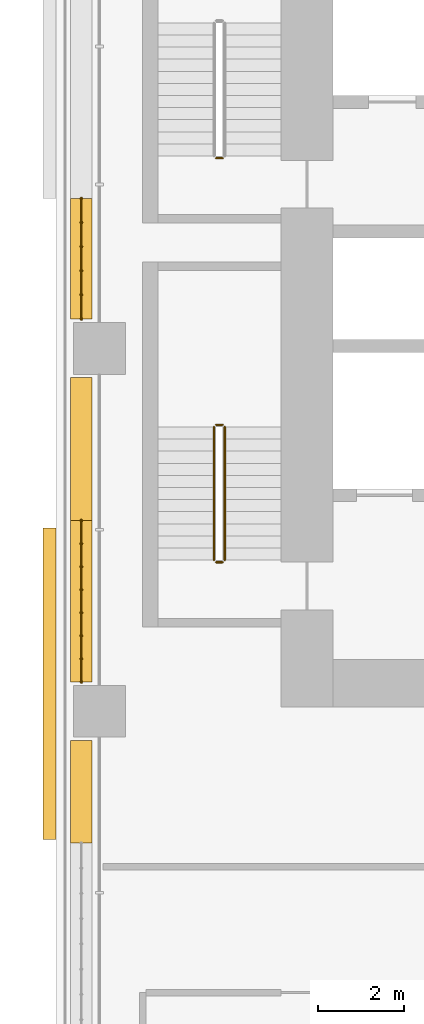
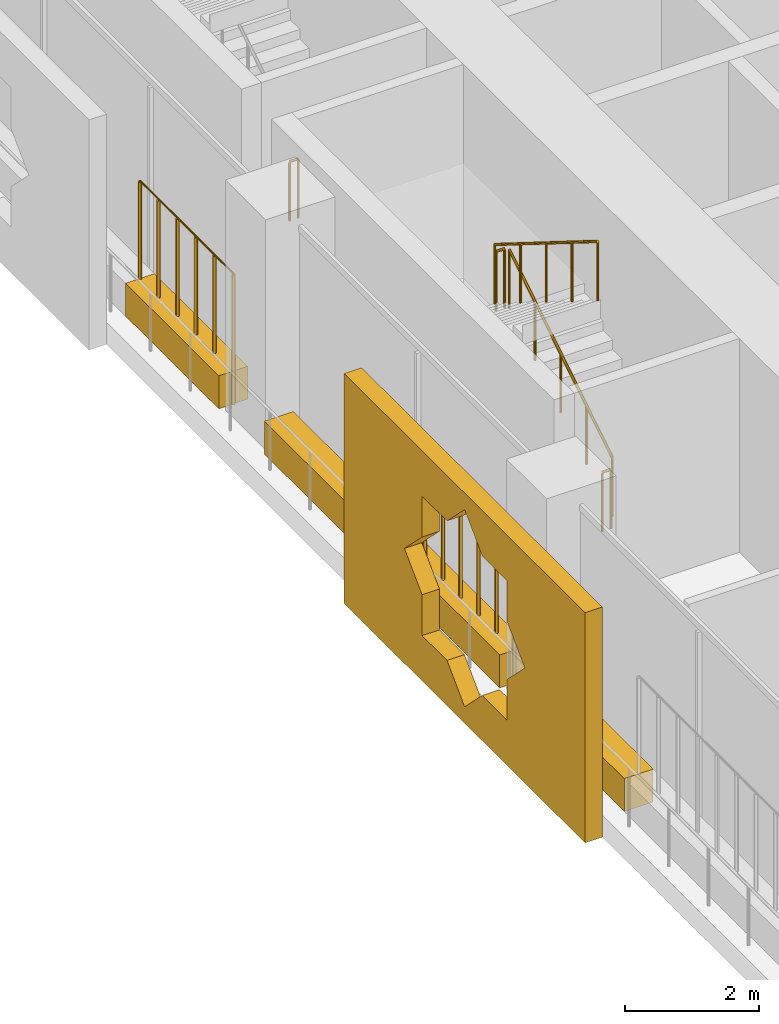
# One storey, part 24 of 29: 7 railings, 5 coverings.
"""IFC4 building model written with IfcOpenShell, lengths in metres."""

from ifc_helpers import new_model, si_unit, direction, frame, origin, origin_2d, place, context, subcontext, project, spatial, polyline, rectangle, circle, outline, extrude, material, material_profile, profile_set, type_object, element, save


model = new_model("IFC4")

# Units and contexts
model_context = context("Model", 3, precision=1e-05, world=origin(), true_north=direction((0.0, 1.0)))
body_context = subcontext(model_context, "Body", "Model", "MODEL_VIEW")
ifc_project = project(units=[si_unit("LENGTHUNIT", "METRE"), si_unit("AREAUNIT", "SQUARE_METRE"), si_unit("VOLUMEUNIT", "CUBIC_METRE"), si_unit("PLANEANGLEUNIT", "RADIAN"), si_unit("MASSUNIT", "GRAM", prefix="KILO")], contexts=[model_context])

# Site, building, storey
site_placement = place(None, origin())
site = spatial("IfcSite", under=ifc_project, at=site_placement, CompositionType="ELEMENT")
building_placement = place(site_placement, origin())
building = spatial("IfcBuilding", under=site, at=building_placement, Name="Kawkab Arch Medical Tower", CompositionType="ELEMENT")
storey_placement = place(building_placement, frame((0.0, 0.0, 60.199951171875)))
storey = spatial("IfcBuildingStorey", under=building, at=storey_placement, Name="L13", CompositionType="ELEMENT", Elevation=60.199951171875)

# Coverings
ifc_material_1 = material(Name="Bronze anodised aluminium mashrabiya panel, eight-point star pattern", Category="aluminium")
ifc_material_profile_1 = material_profile(ifc_material_1, outline(polyline([(-3.60009765625, -2.10009765625), (3.60009765625, -2.10009765625), (3.60009765625, 2.10009765625), (-3.60009765625, 2.10009765625), (-3.60009765625, -2.10009765625)]), holes=[polyline([(1.800048828125, 0.0), (1.272705078125, 0.527099609375), (1.272705078125, 1.272705078125), (0.527099609375, 1.272705078125), (0.0, 1.800048828125), (-0.527099609375, 1.272705078125), (-1.272705078125, 1.272705078125), (-1.272705078125, 0.527099609375), (-1.800048828125, 0.0), (-1.272705078125, -0.527099609375), (-1.272705078125, -1.272705078125), (-0.527099609375, -1.272705078125), (0.0, -1.800048828125), (0.527099609375, -1.272705078125), (1.272705078125, -1.272705078125), (1.272705078125, -0.527099609375), (1.800048828125, 0.0)])]), Name="Mashrabiya panel 7200x4200")
ifc_profile_set_1 = profile_set([ifc_material_profile_1], Name="Bronze anodised aluminium mashrabiya panel, eight-point star pattern")
covering_type_1 = type_object("IfcCoveringType", Name="Mashrabiya panel 7200 x 4200", PredefinedType="USERDEFINED", material=ifc_profile_set_1)
covering_1_placement = place(storey_placement, frame((-1.0, -24.561767578125, 1.699951171875), z_axis=(-1.0, 0.0, 0.0), x_axis=(0.0, -1.0, 0.0)))
element("IfcCovering", 1, at=covering_1_placement, inside=storey, type_object=covering_type_1, Name="Mashrabiya panel L13.LOG-01-01.4", ObjectType="SCREEN", PredefinedType="USERDEFINED", context=body_context, shape_type="SweptSolid", body=[
    extrude(outline(polyline([(-3.60009765625, -2.10009765625), (3.60009765625, -2.10009765625), (3.60009765625, 2.10009765625), (-3.60009765625, 2.10009765625), (-3.60009765625, -2.10009765625)]), holes=[polyline([(1.800048828125, 0.0), (1.272705078125, 0.527099609375), (1.272705078125, 1.272705078125), (0.527099609375, 1.272705078125), (0.0, 1.800048828125), (-0.527099609375, 1.272705078125), (-1.272705078125, 1.272705078125), (-1.272705078125, 0.527099609375), (-1.800048828125, 0.0), (-1.272705078125, -0.527099609375), (-1.272705078125, -1.272705078125), (-0.527099609375, -1.272705078125), (0.0, -1.800048828125), (0.527099609375, -1.272705078125), (1.272705078125, -1.272705078125), (1.272705078125, -0.527099609375), (1.800048828125, 0.0)])]), origin(), (0.0, 0.0, 1.0), 0.300048828125),
])
ifc_material_2 = material(Name="Planting soil in a precast trough", Category="concrete")
ifc_material_profile_2 = material_profile(ifc_material_2, rectangle(XDim=0.5, YDim=0.60009765625, at=origin_2d()), Name="Trough 500x600")
ifc_profile_set_2 = profile_set([ifc_material_profile_2], Name="Planting soil in a precast trough")
covering_type_2 = type_object("IfcCoveringType", Name="Planter trough 500 x 600", PredefinedType="USERDEFINED", material=ifc_profile_set_2)
covering_2_placement = place(storey_placement, frame((-0.419921875, -28.243896484375, 0.300048828125), z_axis=(0.0, 1.0, 0.0), x_axis=(-1.0, 0.0, 0.0)))
element("IfcCovering", 2, at=covering_2_placement, inside=storey, type_object=covering_type_2, Name="Planter L13.LOG-01-01.12", ObjectType="PLANTER", PredefinedType="USERDEFINED", context=body_context, shape_type="SweptSolid", body=[
    extrude(rectangle(XDim=0.5, YDim=0.60009765625, at=origin_2d()), origin(), (0.0, 0.0, 1.0), 2.364013671875),
])
covering_3_placement = place(storey_placement, frame((-0.419921875, -24.52001953125, 0.300048828125), z_axis=(0.0, 1.0, 0.0), x_axis=(-1.0, 0.0, 0.0)))
element("IfcCovering", 3, at=covering_3_placement, inside=storey, type_object=covering_type_2, Name="Planter L13.LOG-01-01.13", ObjectType="PLANTER", PredefinedType="USERDEFINED", context=body_context, shape_type="SweptSolid", body=[
    extrude(rectangle(XDim=0.5, YDim=0.60009765625, at=origin_2d()), origin(), (0.0, 0.0, 1.0), 3.73291015625),
])
covering_4_placement = place(storey_placement, frame((-0.419921875, -20.787109375, 0.300048828125), z_axis=(0.0, 1.0, 0.0), x_axis=(-1.0, 0.0, 0.0)))
element("IfcCovering", 4, at=covering_4_placement, inside=storey, type_object=covering_type_2, Name="Planter L13.LOG-01-01.14", ObjectType="PLANTER", PredefinedType="USERDEFINED", context=body_context, shape_type="SweptSolid", body=[
    extrude(rectangle(XDim=0.5, YDim=0.60009765625, at=origin_2d()), origin(), (0.0, 0.0, 1.0), 3.30712890625),
])
covering_5_placement = place(storey_placement, frame((-0.419921875, -16.1201171875, 0.300048828125), z_axis=(0.0, 1.0, 0.0), x_axis=(-1.0, 0.0, 0.0)))
element("IfcCovering", 5, at=covering_5_placement, inside=storey, type_object=covering_type_2, Name="Planter L13.LOG-01-01.15", ObjectType="PLANTER", PredefinedType="USERDEFINED", context=body_context, shape_type="SweptSolid", body=[
    extrude(rectangle(XDim=0.5, YDim=0.60009765625, at=origin_2d()), origin(), (0.0, 0.0, 1.0), 2.7890625),
])

# Railings
ifc_material_3 = material(Name="Bronze anodised aluminium trellis for climbing plants", Category="aluminium")
railing_type_1 = type_object("IfcRailingType", Name="Planting trellis 2400", PredefinedType="USERDEFINED", material=ifc_material_3)
railing_1_placement = place(storey_placement, frame((-0.419921875, -24.52001953125, 0.0)))
element("IfcRailing", 6, at=railing_1_placement, inside=storey, type_object=railing_type_1, Name="Planting trellis L13.LOG-01-01.13", ObjectType="TRELLIS", PredefinedType="USERDEFINED", context=body_context, shape_type="SweptSolid", body=[
    extrude(circle(Radius=0.01513671875, at=origin_2d()), frame((0.0, 0.0, 2.384765625), z_axis=(0.0, 1.0, 0.0), x_axis=(-1.0, 0.0, 0.0)), (0.0, 0.0, 1.0), 3.73291015625),
    extrude(circle(Radius=0.030029296875, at=origin_2d()), origin(), (0.0, 0.0, 1.0), 2.369873046875),
    extrude(circle(Radius=0.030029296875, at=origin_2d()), frame((0.0, 0.533203125, 0.0)), (0.0, 0.0, 1.0), 2.369873046875),
    extrude(circle(Radius=0.030029296875, at=origin_2d()), frame((0.0, 1.066650390625, 0.0)), (0.0, 0.0, 1.0), 2.369873046875),
    extrude(circle(Radius=0.030029296875, at=origin_2d()), frame((0.0, 1.599853515625, 0.0)), (0.0, 0.0, 1.0), 2.369873046875),
    extrude(circle(Radius=0.030029296875, at=origin_2d()), frame((0.0, 2.133056640625, 0.0)), (0.0, 0.0, 1.0), 2.369873046875),
    extrude(circle(Radius=0.030029296875, at=origin_2d()), frame((0.0, 2.666259765625, 0.0)), (0.0, 0.0, 1.0), 2.369873046875),
    extrude(circle(Radius=0.030029296875, at=origin_2d()), frame((0.0, 3.19970703125, 0.0)), (0.0, 0.0, 1.0), 2.369873046875),
    extrude(circle(Radius=0.030029296875, at=origin_2d()), frame((0.0, 3.73291015625, 0.0)), (0.0, 0.0, 1.0), 2.369873046875),
])
railing_2_placement = place(storey_placement, frame((-0.419921875, -16.1201171875, 0.0)))
element("IfcRailing", 7, at=railing_2_placement, inside=storey, type_object=railing_type_1, Name="Planting trellis L13.LOG-01-01.15", ObjectType="TRELLIS", PredefinedType="USERDEFINED", context=body_context, shape_type="SweptSolid", body=[
    extrude(circle(Radius=0.01513671875, at=origin_2d()), frame((0.0, 0.0, 2.384765625), z_axis=(0.0, 1.0, 0.0), x_axis=(-1.0, 0.0, 0.0)), (0.0, 0.0, 1.0), 2.7890625),
    extrude(circle(Radius=0.030029296875, at=origin_2d()), origin(), (0.0, 0.0, 1.0), 2.369873046875),
    extrude(circle(Radius=0.030029296875, at=origin_2d()), frame((0.0, 0.557861328125, 0.0)), (0.0, 0.0, 1.0), 2.369873046875),
    extrude(circle(Radius=0.030029296875, at=origin_2d()), frame((0.0, 1.11572265625, 0.0)), (0.0, 0.0, 1.0), 2.369873046875),
    extrude(circle(Radius=0.030029296875, at=origin_2d()), frame((0.0, 1.67333984375, 0.0)), (0.0, 0.0, 1.0), 2.369873046875),
    extrude(circle(Radius=0.030029296875, at=origin_2d()), frame((0.0, 2.231201171875, 0.0)), (0.0, 0.0, 1.0), 2.369873046875),
    extrude(circle(Radius=0.030029296875, at=origin_2d()), frame((0.0, 2.7890625, 0.0)), (0.0, 0.0, 1.0), 2.369873046875),
])
ifc_material_4 = material(Name="Stainless steel", Category="steel")
railing_type_2 = type_object("IfcRailingType", Name="Stair guard 1100", PredefinedType="GUARDRAIL", material=ifc_material_4)
railing_3_placement = place(storey_placement, frame((2.85009765625, -12.39990234375, 0.0)))
element("IfcRailing", 8, at=railing_3_placement, inside=storey, type_object=railing_type_2, Name="L13 ST1 stair guard 4", PredefinedType="GUARDRAIL", context=body_context, shape_type="SweptSolid", body=[
    extrude(circle(Radius=0.02392578125, at=origin_2d()), frame((0.0, 0.0, 1.076171875), z_axis=(-1.0, 0.0, 0.0), x_axis=(0.0, -1.0, 0.0)), (0.0, 0.0, 1.0), 0.150146484375),
    extrude(circle(Radius=0.02099609375, at=origin_2d()), origin(), (0.0, 0.0, 1.0), 1.052001953125),
    extrude(circle(Radius=0.02099609375, at=origin_2d()), frame((-0.150146484375, 0.0, 0.0)), (0.0, 0.0, 1.0), 1.052001953125),
])
railing_4_placement = place(storey_placement, frame((2.89990234375, -21.699951171875, 0.175048828125)))
element("IfcRailing", 9, at=railing_4_placement, inside=storey, type_object=railing_type_2, Name="L13 ST2 stair guard 1", PredefinedType="GUARDRAIL", context=body_context, shape_type="SweptSolid", body=[
    extrude(circle(Radius=0.02392578125, at=origin_2d()), frame((0.0, 0.0, 1.076171875), z_axis=(0.0, 0.847979421464, 0.530029150871), x_axis=(-1.0, 0.0, 0.0)), (0.0, 0.0, 1.0), 3.632080078125),
    extrude(circle(Radius=0.02099609375, at=origin_2d()), origin(), (0.0, 0.0, 1.0), 1.052001953125),
    extrude(circle(Radius=0.02099609375, at=origin_2d()), frame((0.0, 0.77001953125, 0.481201171875)), (0.0, 0.0, 1.0), 1.052001953125),
    extrude(circle(Radius=0.02099609375, at=origin_2d()), frame((0.0, 1.5400390625, 0.96240234375)), (0.0, 0.0, 1.0), 1.052001953125),
    extrude(circle(Radius=0.02099609375, at=origin_2d()), frame((0.0, 2.309814453125, 1.44384765625)), (0.0, 0.0, 1.0), 1.052001953125),
    extrude(circle(Radius=0.02099609375, at=origin_2d()), frame((0.0, 3.079833984375, 1.925048828125)), (0.0, 0.0, 1.0), 1.052001953125),
])
railing_5_placement = place(storey_placement, frame((2.85009765625, -18.570068359375, 2.10009765625)))
element("IfcRailing", 10, at=railing_5_placement, inside=storey, type_object=railing_type_2, Name="L13 ST2 stair guard 2", PredefinedType="GUARDRAIL", context=body_context, shape_type="SweptSolid", body=[
    extrude(circle(Radius=0.02392578125, at=origin_2d()), frame((0.0, 0.0, 1.076171875), z_axis=(-1.0, 0.0, 0.0), x_axis=(0.0, -1.0, 0.0)), (0.0, 0.0, 1.0), 0.150146484375),
    extrude(circle(Radius=0.02099609375, at=origin_2d()), origin(), (0.0, 0.0, 1.0), 1.052001953125),
    extrude(circle(Radius=0.02099609375, at=origin_2d()), frame((-0.150146484375, 0.0, 0.0)), (0.0, 0.0, 1.0), 1.052001953125),
])
railing_6_placement = place(storey_placement, frame((2.64990234375, -18.6201171875, 2.275146484375)))
element("IfcRailing", 11, at=railing_6_placement, inside=storey, type_object=railing_type_2, Name="L13 ST2 stair guard 3", PredefinedType="GUARDRAIL", context=body_context, shape_type="SweptSolid", body=[
    extrude(circle(Radius=0.02392578125, at=origin_2d()), frame((0.0, 0.0, 1.076171875), z_axis=(0.0, -0.848009633417, 0.529980812513), x_axis=(1.0, 0.0, 0.0)), (0.0, 0.0, 1.0), 3.6318359375),
    extrude(circle(Radius=0.02099609375, at=origin_2d()), origin(), (0.0, 0.0, 1.0), 1.052001953125),
    extrude(circle(Radius=0.02099609375, at=origin_2d()), frame((0.0, -0.77001953125, 0.481201171875)), (0.0, 0.0, 1.0), 1.052001953125),
    extrude(circle(Radius=0.02099609375, at=origin_2d()), frame((0.0, -1.5400390625, 0.96240234375)), (0.0, 0.0, 1.0), 1.052001953125),
    extrude(circle(Radius=0.02099609375, at=origin_2d()), frame((0.0, -2.309814453125, 1.443603515625)), (0.0, 0.0, 1.0), 1.052001953125),
    extrude(circle(Radius=0.02099609375, at=origin_2d()), frame((0.0, -3.079833984375, 1.9248046875)), (0.0, 0.0, 1.0), 1.052001953125),
])
railing_7_placement = place(storey_placement, frame((2.85009765625, -21.75, 0.0)))
element("IfcRailing", 12, at=railing_7_placement, inside=storey, type_object=railing_type_2, Name="L13 ST2 stair guard 4", PredefinedType="GUARDRAIL", context=body_context, shape_type="SweptSolid", body=[
    extrude(circle(Radius=0.02392578125, at=origin_2d()), frame((0.0, 0.0, 1.076171875), z_axis=(-1.0, 0.0, 0.0), x_axis=(0.0, -1.0, 0.0)), (0.0, 0.0, 1.0), 0.150146484375),
    extrude(circle(Radius=0.02099609375, at=origin_2d()), origin(), (0.0, 0.0, 1.0), 1.052001953125),
    extrude(circle(Radius=0.02099609375, at=origin_2d()), frame((-0.150146484375, 0.0, 0.0)), (0.0, 0.0, 1.0), 1.052001953125),
])

save(model, "model.ifc")
